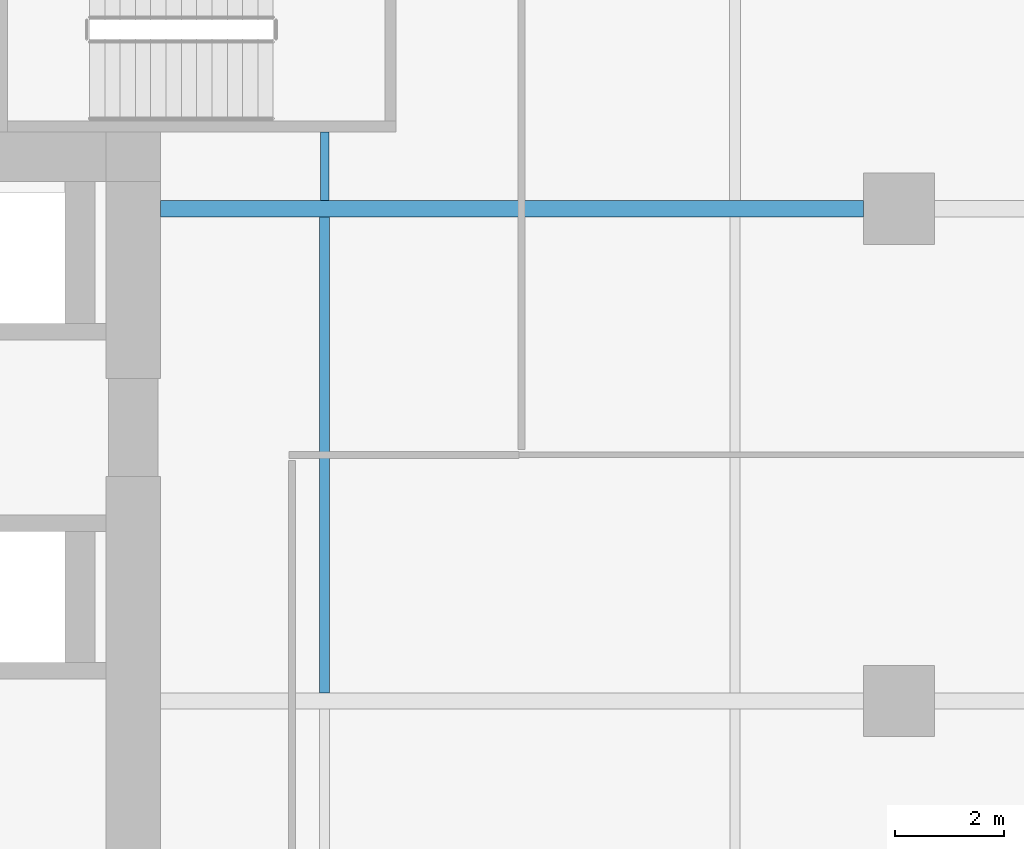
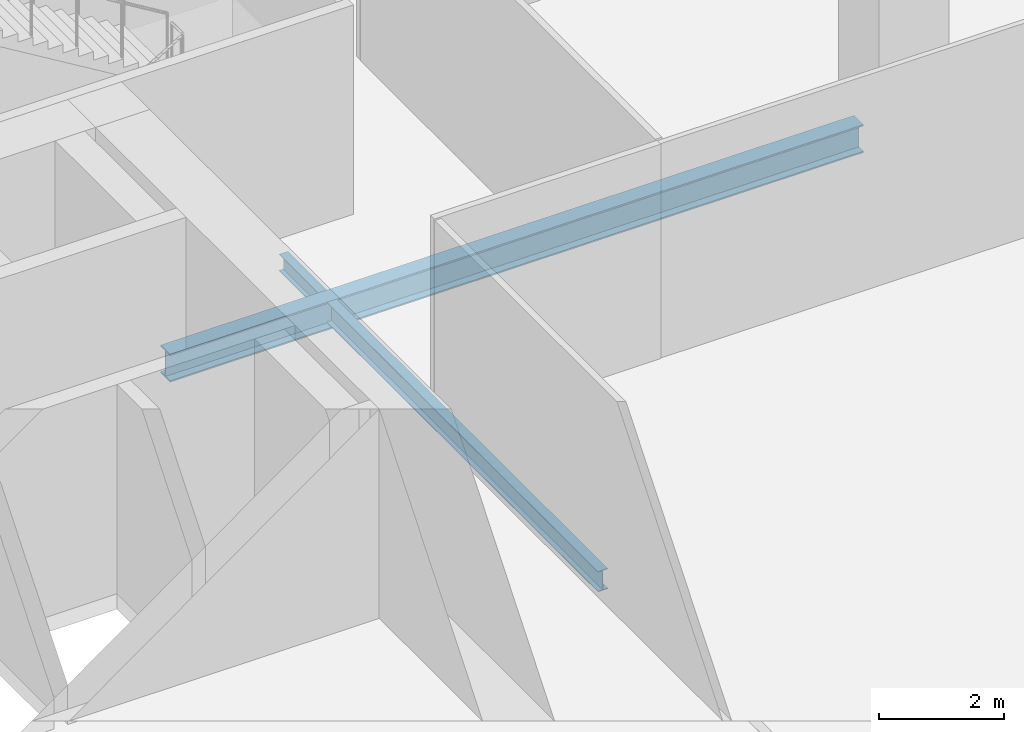
# One storey, part 15 of 34: 3 beams.
"""IFC4 building model written with IfcOpenShell, lengths in metres."""

from ifc_helpers import new_model, si_unit, direction, frame, origin, origin_2d, place, context, subcontext, project, spatial, i_section, extrude, source, transform, mapped, material, material_profile, profile_set, type_object, element, save


model = new_model("IFC4")

# Units and contexts
model_context = context("Model", 3, precision=1e-05, world=origin(), true_north=direction((0.0, 1.0)))
body_context = subcontext(model_context, "Body", "Model", "MODEL_VIEW")
ifc_project = project(units=[si_unit("LENGTHUNIT", "METRE"), si_unit("AREAUNIT", "SQUARE_METRE"), si_unit("VOLUMEUNIT", "CUBIC_METRE"), si_unit("PLANEANGLEUNIT", "RADIAN"), si_unit("MASSUNIT", "GRAM", prefix="KILO")], contexts=[model_context])

# Site, building, storey
site_placement = place(None, origin())
site = spatial("IfcSite", under=ifc_project, at=site_placement, CompositionType="ELEMENT")
building_placement = place(site_placement, origin())
building = spatial("IfcBuilding", under=site, at=building_placement, Name="Khomas Fold Tower", CompositionType="ELEMENT")
storey_placement = place(building_placement, frame((0.0, 0.0, 145.5)))
storey = spatial("IfcBuildingStorey", under=building, at=storey_placement, Name="L31", CompositionType="ELEMENT", Elevation=145.5)

# Beams
ifc_material_1 = material(Name="Steel S355", Category="steel")
ifc_material_profile_1 = material_profile(ifc_material_1, i_section(OverallWidth=0.179931640625, OverallDepth=0.39990234375, WebThickness=0.008544921875, FlangeThickness=0.013427734375, at=origin_2d()), Name="IPE 400")
ifc_profile_set_1 = profile_set([ifc_material_profile_1], Name="Steel S355")
beam_type_1 = type_object("IfcBeamType", Name="IPE 400 beam JB3", PredefinedType="BEAM", material=ifc_profile_set_1)
shared_shape_1 = source(origin(), body_context, "Body", "SweptSolid", [
    extrude(i_section(OverallWidth=0.179931640625, OverallDepth=0.39990234375, WebThickness=0.008544921875, FlangeThickness=0.013427734375, at=origin_2d()), origin(), (0.0, 0.0, 1.0), 8.7001953125),
])
beam_1_placement = place(storey_placement, frame((27.0, 31.64990234375, -0.5), z_axis=(0.0, 1.0, 0.0), x_axis=(-1.0, 0.0, 0.0)))
element("IfcBeam", 1, at=beam_1_placement, inside=storey, type_object=beam_type_1, Name="JB3", PredefinedType="BEAM", context=body_context, shape_type="MappedRepresentation", body=[
    mapped(shared_shape_1, transform((0.0, 0.0, 0.0))),
])
ifc_material_2 = material(Name="Steel S355", Category="steel")
ifc_material_profile_2 = material_profile(ifc_material_2, i_section(OverallWidth=0.159912109375, OverallDepth=0.330078125, WebThickness=0.007568359375, FlangeThickness=0.011474609375, at=origin_2d()), Name="IPE 330")
ifc_profile_set_2 = profile_set([ifc_material_profile_2], Name="Steel S355")
beam_type_2 = type_object("IfcBeamType", Name="IPE 330 beam JB1", PredefinedType="BEAM", material=ifc_profile_set_2)
shared_shape_2 = source(origin(), body_context, "Body", "SweptSolid", [
    extrude(i_section(OverallWidth=0.159912109375, OverallDepth=0.330078125, WebThickness=0.007568359375, FlangeThickness=0.011474609375, at=origin_2d()), origin(), (0.0, 0.0, 1.0), 1.25),
])
beam_2_placement = place(storey_placement, frame((27.0, 40.64990234375, -0.465087890625), z_axis=(0.0, 1.0, 0.0), x_axis=(-1.0, 0.0, 0.0)))
element("IfcBeam", 2, at=beam_2_placement, inside=storey, type_object=beam_type_2, Name="JB1", PredefinedType="BEAM", context=body_context, shape_type="MappedRepresentation", body=[
    mapped(shared_shape_2, transform((0.0, 0.0, 0.0))),
])
ifc_material_3 = material(Name="Steel S355", Category="steel")
ifc_material_profile_3 = material_profile(ifc_material_3, i_section(OverallWidth=0.300048828125, OverallDepth=0.550048828125, WebThickness=0.014892578125, FlangeThickness=0.029052734375, at=origin_2d()), Name="HE 550 B")
ifc_profile_set_3 = profile_set([ifc_material_profile_3], Name="Steel S355")
beam_type_3 = type_object("IfcBeamType", Name="HE 550 B beam GB4", PredefinedType="BEAM", material=ifc_profile_set_3)
shared_shape_3 = source(origin(), body_context, "Body", "SweptSolid", [
    extrude(i_section(OverallWidth=0.300048828125, OverallDepth=0.550048828125, WebThickness=0.014892578125, FlangeThickness=0.029052734375, at=origin_2d()), origin(), (0.0, 0.0, 1.0), 12.85009765625),
])
beam_3_placement = place(storey_placement, frame((24.0, 40.5, -0.574951171875), z_axis=(1.0, 0.0, 0.0), x_axis=(0.0, 1.0, 0.0)))
element("IfcBeam", 3, at=beam_3_placement, inside=storey, type_object=beam_type_3, Name="GB4", PredefinedType="BEAM", context=body_context, shape_type="MappedRepresentation", body=[
    mapped(shared_shape_3, transform((0.0, 0.0, 0.0))),
])

save(model, "model.ifc")
